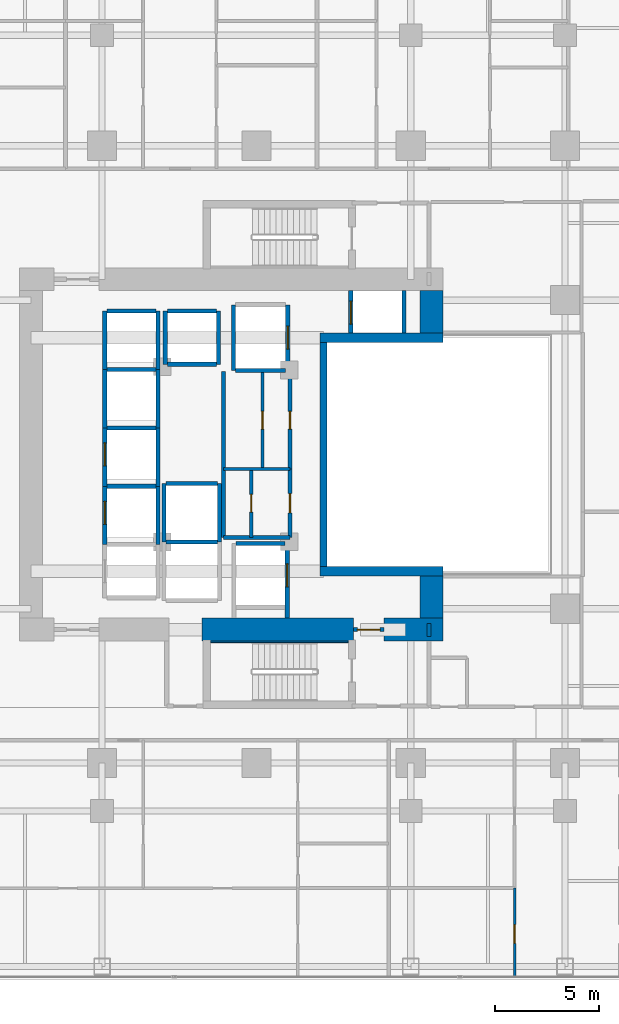
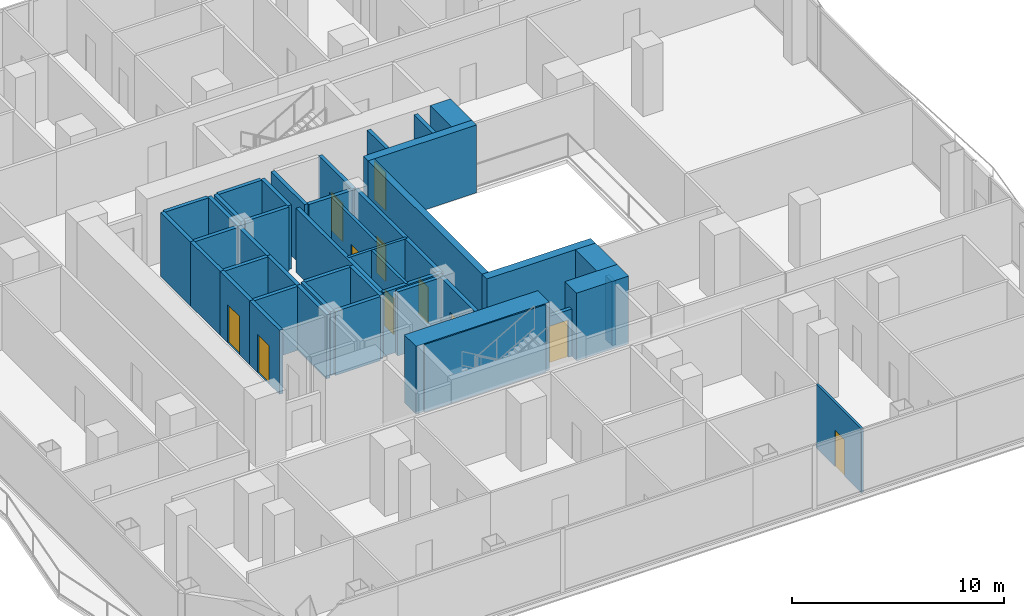
# One storey, part 21 of 27: 45 walls, 11 doors, 11 openings.
"""IFC4 building model written with IfcOpenShell, lengths in metres."""

from ifc_helpers import new_model, si_unit, direction, frame, frame_2d, origin, place, context, subcontext, project, spatial, rectangle, extrude, material, layer, layer_set, type_object, element, fill, save


model = new_model("IFC4")

# Units and contexts
model_context = context("Model", 3, precision=1e-05, world=origin(), true_north=direction((0.0, 1.0)))
body_context = subcontext(model_context, "Body", "Model", "MODEL_VIEW")
ifc_project = project(units=[si_unit("LENGTHUNIT", "METRE"), si_unit("AREAUNIT", "SQUARE_METRE"), si_unit("VOLUMEUNIT", "CUBIC_METRE"), si_unit("PLANEANGLEUNIT", "RADIAN"), si_unit("MASSUNIT", "GRAM", prefix="KILO")], contexts=[model_context])

# Site, building, storey
site_placement = place(None, origin())
site = spatial("IfcSite", under=ifc_project, at=site_placement, CompositionType="ELEMENT")
building_placement = place(site_placement, origin())
building = spatial("IfcBuilding", under=site, at=building_placement, Name="Khorvyn Point Tower", CompositionType="ELEMENT")
storey_placement = place(building_placement, frame((0.0, 0.0, 46.199951171875)))
storey = spatial("IfcBuildingStorey", under=building, at=storey_placement, Name="L12", CompositionType="ELEMENT", Elevation=46.199951171875)

# Walls
ifc_material_1 = material(Name="Concrete C40/50", Category="concrete")
ifc_layer_1 = layer(ifc_material_1, 0.449951171875)
ifc_layer_set_1 = layer_set([ifc_layer_1], Name="Concrete C40/50 Core Shear Wall 450")
wall_type_1 = type_object("IfcWallType", Name="Concrete C40/50 Core Shear Wall 450", PredefinedType="SHEAR", material=ifc_layer_set_1)
for number, where, z_axis, x_axis, name in (
    (1, (3.044921875, -5.60009765625, 0.0), (0.0, 0.0, 1.0), (1.0, 0.0, 0.0), "Wall"),
    (2, (3.044921875, 5.60009765625, 0.0), (0.0, 0.0, 1.0), (1.0, 0.0, 0.0), "Wall"),
):
    element("IfcWall", number, at=place(storey_placement, frame(where, z_axis=z_axis, x_axis=x_axis)), inside=storey, type_object=wall_type_1, Name=name, PredefinedType="SHEAR", context=body_context, shape_type="SweptSolid", body=[
        extrude(rectangle(XDim=5.905029296875, YDim=0.449951171875, at=frame_2d((2.95263671875, 0.0))), origin(), (0.0, 0.0, 1.0), 3.900146484375),
    ])

# Wall, opening, door
ifc_layer_2 = layer(ifc_material_1, 0.199951171875)
ifc_layer_set_2 = layer_set([ifc_layer_2], Name="Concrete C40/50 Fire-Lobby Compartment Wall 200")
wall_type_2 = type_object("IfcWallType", Name="Concrete C40/50 Fire-Lobby Compartment Wall 200", PredefinedType="SOLIDWALL", material=ifc_layer_set_2)
wall_1_placement = place(storey_placement, frame((4.64990234375, -8.39990234375, 0.0), z_axis=(0.0, 0.0, 1.0), x_axis=(1.0, 0.0, 0.0)))
wall_1 = element("IfcWall", 3, at=wall_1_placement, inside=storey, type_object=wall_type_2, Name="Wall", PredefinedType="SOLIDWALL", context=body_context, shape_type="SweptSolid", body=[
    extrude(rectangle(XDim=1.47021484375, YDim=0.199951171875, at=frame_2d((0.735107421875, 0.0))), origin(), (0.0, 0.0, 1.0), 2.719970703125),
])
opening_1_placement = place(wall_1_placement, frame((0.18505859375, 0.0, 0.0)))
opening_1 = element("IfcOpeningElement", 4, at=opening_1_placement, cuts=wall_1, Name="Opening ID-FL90", PredefinedType="OPENING", context=body_context, shape_type="SweptSolid", body=[
    extrude(rectangle(XDim=1.10009765625, YDim=2.14990234375, at=frame_2d((0.550048828125, 1.074951171875))), frame((0.0, 0.10986328125, 0.0), z_axis=(0.0, -1.0, 0.0), x_axis=(1.0, 0.0, 0.0)), (0.0, 0.0, 1.0), 0.219970703125),
])
ifc_material_2 = material(Name="Galvanised powder-coated steel", Category="steel")
door_type_1 = type_object("IfcDoorType", Name="Fire-Rated Steel Lobby and Stair Door 1100x2150", OperationType="NOTDEFINED", PredefinedType="DOOR", material=ifc_material_2)
door_1_placement = place(opening_1_placement, origin())
door_1 = element("IfcDoor", 5, at=door_1_placement, inside=storey, type_object=door_type_1, Name="Door", OperationType="SINGLE_SWING_LEFT", OverallHeight=2.14990234375, OverallWidth=1.10009765625, PredefinedType="DOOR", context=body_context, shape_type="SweptSolid", body=[
    extrude(rectangle(XDim=1.10009765625, YDim=2.14990234375, at=frame_2d((0.550048828125, 1.074951171875))), frame((0.0, 0.02490234375, 0.0), z_axis=(0.0, -1.0, 0.0), x_axis=(1.0, 0.0, 0.0)), (0.0, 0.0, 1.0), 0.050048828125),
])
fill(opening_1, door_1)

wall_2_placement = place(storey_placement, frame((1.610107421875, -3.97998046875, 0.0), z_axis=(0.0, 0.0, 1.0), x_axis=(0.0, 1.0, 0.0)))
wall_2 = element("IfcWall", 6, at=wall_2_placement, inside=storey, type_object=wall_type_2, Name="Wall", PredefinedType="SOLIDWALL", context=body_context, shape_type="SweptSolid", body=[
    extrude(rectangle(XDim=3.27392578125, YDim=0.199951171875, at=frame_2d((1.636962890625, 0.0))), origin(), (0.0, 0.0, 1.0), 3.679931640625),
])
opening_2_placement = place(wall_2_placement, frame((1.177001953125, 0.0, 0.0)))
opening_2 = element("IfcOpeningElement", 7, at=opening_2_placement, cuts=wall_2, Name="Opening ID-RS60", PredefinedType="OPENING", context=body_context, shape_type="SweptSolid", body=[
    extrude(rectangle(XDim=0.919921875, YDim=2.10009765625, at=frame_2d((0.4599609375, 1.050048828125))), frame((0.0, 0.10986328125, 0.0), z_axis=(0.0, -1.0, 0.0), x_axis=(1.0, 0.0, 0.0)), (0.0, 0.0, 1.0), 0.219970703125),
])
door_type_2 = type_object("IfcDoorType", Name="Fire-Rated Riser and Store Steel Door 920x2100", OperationType="NOTDEFINED", PredefinedType="DOOR", material=ifc_material_2)
door_2_placement = place(opening_2_placement, origin())
door_2 = element("IfcDoor", 8, at=door_2_placement, inside=storey, type_object=door_type_2, Name="Door", OperationType="SINGLE_SWING_RIGHT", OverallHeight=2.10009765625, OverallWidth=0.919921875, PredefinedType="DOOR", context=body_context, shape_type="SweptSolid", body=[
    extrude(rectangle(XDim=0.919921875, YDim=2.10009765625, at=frame_2d((0.4599609375, 1.050048828125))), frame((0.0, 0.02490234375, 0.0), z_axis=(0.0, -1.0, 0.0), x_axis=(1.0, 0.0, 0.0)), (0.0, 0.0, 1.0), 0.050048828125),
])
fill(opening_2, door_2)

wall_3_placement = place(storey_placement, frame((1.610107421875, -0.7060546875, 0.0), z_axis=(0.0, 0.0, 1.0), x_axis=(0.0, 1.0, 0.0)))
wall_3 = element("IfcWall", 9, at=wall_3_placement, inside=storey, type_object=wall_type_2, Name="Wall", PredefinedType="SOLIDWALL", context=body_context, shape_type="SweptSolid", body=[
    extrude(rectangle(XDim=4.68603515625, YDim=0.199951171875, at=frame_2d((2.343017578125, 0.0))), origin(), (0.0, 0.0, 1.0), 3.679931640625),
])
opening_3_placement = place(wall_3_placement, frame((1.91796875, 0.0, 0.0)))
opening_3 = element("IfcOpeningElement", 10, at=opening_3_placement, cuts=wall_3, Name="Opening ID-WC85", PredefinedType="OPENING", context=body_context, shape_type="SweptSolid", body=[
    extrude(rectangle(XDim=0.85009765625, YDim=2.10009765625, at=frame_2d((0.425048828125, 1.050048828125))), frame((0.0, 0.10986328125, 0.0), z_axis=(0.0, -1.0, 0.0), x_axis=(1.0, 0.0, 0.0)), (0.0, 0.0, 1.0), 0.219970703125),
])
ifc_material_3 = material(Name="High-pressure laminate on moisture-resistant core", Category="wood")
door_type_3 = type_object("IfcDoorType", Name="Moisture-Resistant Accessible Washroom Door 850x2100", OperationType="NOTDEFINED", PredefinedType="DOOR", material=ifc_material_3)
door_3_placement = place(opening_3_placement, origin())
door_3 = element("IfcDoor", 11, at=door_3_placement, inside=storey, type_object=door_type_3, Name="Door", OperationType="SINGLE_SWING_LEFT", OverallHeight=2.10009765625, OverallWidth=0.85009765625, PredefinedType="DOOR", context=body_context, shape_type="SweptSolid", body=[
    extrude(rectangle(XDim=0.85009765625, YDim=2.10009765625, at=frame_2d((0.425048828125, 1.050048828125))), frame((0.0, 0.02490234375, 0.0), z_axis=(0.0, -1.0, 0.0), x_axis=(1.0, 0.0, 0.0)), (0.0, 0.0, 1.0), 0.050048828125),
])
fill(opening_3, door_3)

# Walls
wall_4_placement = place(storey_placement, frame((-1.580078125, -3.97998046875, 0.0), z_axis=(0.0, 0.0, 1.0), x_axis=(0.0, 1.0, 0.0)))
element("IfcWall", 12, at=wall_4_placement, inside=storey, type_object=wall_type_2, Name="Wall", PredefinedType="SOLIDWALL", context=body_context, shape_type="SweptSolid", body=[
    extrude(rectangle(XDim=7.9599609375, YDim=0.199951171875, at=frame_2d((3.97998046875, 0.0))), origin(), (0.0, 0.0, 1.0), 3.679931640625),
])
wall_5_placement = place(storey_placement, frame((-1.580078125, -3.97998046875, 0.0), z_axis=(0.0, 0.0, 1.0), x_axis=(1.0, 0.0, 0.0)))
element("IfcWall", 13, at=wall_5_placement, inside=storey, type_object=wall_type_2, Name="Wall", PredefinedType="SOLIDWALL", context=body_context, shape_type="SweptSolid", body=[
    extrude(rectangle(XDim=3.190185546875, YDim=0.199951171875, at=frame_2d((1.59521484375, 0.0))), origin(), (0.0, 0.0, 1.0), 3.679931640625),
])
wall_6_placement = place(storey_placement, frame((8.280029296875, -8.72509765625, 0.0), z_axis=(0.0, 0.0, 1.0), x_axis=(0.0, 1.0, 0.0)))
element("IfcWall", 14, at=wall_6_placement, inside=storey, type_object=wall_type_2, Name="Wall", PredefinedType="SOLIDWALL", context=body_context, shape_type="SweptSolid", body=[
    extrude(rectangle(XDim=0.625, YDim=0.199951171875, at=frame_2d((0.3125, 0.0))), origin(), (0.0, 0.0, 1.0), 3.679931640625),
])
ifc_layer_3 = layer(ifc_material_1, 0.25)
ifc_layer_set_3 = layer_set([ifc_layer_3], Name="Concrete C40/50 Stair Inner Cheek Structural Wall 250")
wall_type_3 = type_object("IfcWallType", Name="Concrete C40/50 Stair Inner Cheek Structural Wall 250", PredefinedType="SHEAR", material=ifc_layer_set_3)
wall_7_placement = place(storey_placement, frame((-2.199951171875, -8.987548828125, 0.0), z_axis=(0.0, 0.0, 1.0), x_axis=(1.0, 0.0, 0.0)))
element("IfcWall", 15, at=wall_7_placement, inside=storey, type_object=wall_type_3, Name="Wall", PredefinedType="SHEAR", context=body_context, shape_type="SweptSolid", body=[
    extrude(rectangle(XDim=6.599853515625, YDim=0.074951171875, at=frame_2d((3.2998046875, 0.0))), origin(), (0.0, 0.0, 1.0), 3.900146484375),
])
ifc_layer_4 = layer(ifc_material_1, 0.35009765625)
ifc_layer_set_4 = layer_set([ifc_layer_4], Name="Concrete C40/50 Stair Shaft Structural Wall 350")
wall_type_4 = type_object("IfcWallType", Name="Concrete C40/50 Stair Shaft Structural Wall 350", PredefinedType="SHEAR", material=ifc_layer_set_4)
wall_8_placement = place(storey_placement, frame((3.219970703125, -5.375, 0.0), z_axis=(0.0, 0.0, 1.0), x_axis=(0.0, 1.0, 0.0)))
element("IfcWall", 16, at=wall_8_placement, inside=storey, type_object=wall_type_4, Name="Wall", PredefinedType="SHEAR", context=body_context, shape_type="SweptSolid", body=[
    extrude(rectangle(XDim=10.75, YDim=0.35009765625, at=frame_2d((5.375, 0.0))), origin(), (0.0, 0.0, 1.0), 3.900146484375),
])

# Wall, opening, door
ifc_layer_5 = layer(ifc_material_1, 0.199951171875)
ifc_layer_set_5 = layer_set([ifc_layer_5], Name="Concrete C40/50 Structural Hoistway and Stair Shaft Wall 200")
wall_type_5 = type_object("IfcWallType", Name="Concrete C40/50 Structural Hoistway and Stair Shaft Wall 200", PredefinedType="SHEAR", material=ifc_layer_set_5)
wall_9_placement = place(storey_placement, frame((-7.27490234375, -4.324951171875, 0.0), z_axis=(0.0, 0.0, 1.0), x_axis=(0.0, 1.0, 0.0)))
wall_9 = element("IfcWall", 17, at=wall_9_placement, inside=storey, type_object=wall_type_5, Name="Wall", PredefinedType="SHEAR", context=body_context, shape_type="SweptSolid", body=[
    extrude(rectangle(XDim=2.800048828125, YDim=0.199951171875, at=frame_2d((1.39990234375, 0.0))), origin(), (0.0, 0.0, 1.0), 3.679931640625),
])
opening_4_placement = place(wall_9_placement, frame((0.97509765625, 0.0, 0.0)))
opening_4 = element("IfcOpeningElement", 18, at=opening_4_placement, cuts=wall_9, Name="Opening LD-1122", PredefinedType="OPENING", context=body_context, shape_type="SweptSolid", body=[
    extrude(rectangle(XDim=1.10009765625, YDim=2.199951171875, at=frame_2d((0.550048828125, 1.10009765625))), frame((0.0, 0.10986328125, 0.0), z_axis=(0.0, -1.0, 0.0), x_axis=(1.0, 0.0, 0.0)), (0.0, 0.0, 1.0), 0.219970703125),
])
ifc_material_4 = material(Name="Stainless steel 1.4301", Category="steel")
door_type_4 = type_object("IfcDoorType", Name="Stainless Steel Automatic Sliding Lift Landing Door 1100x2200", OperationType="SLIDING_TO_LEFT", PredefinedType="DOOR", material=ifc_material_4)
door_4_placement = place(opening_4_placement, origin())
door_4 = element("IfcDoor", 19, at=door_4_placement, inside=storey, type_object=door_type_4, Name="L12 RL-02 Sliding Lift Landing Door", OperationType="SLIDING_TO_LEFT", OverallHeight=2.199951171875, OverallWidth=1.10009765625, PredefinedType="DOOR", context=body_context, shape_type="SweptSolid", body=[
    extrude(rectangle(XDim=1.10009765625, YDim=2.199951171875, at=frame_2d((0.550048828125, 1.10009765625))), frame((0.0, 0.02490234375, 0.0), z_axis=(0.0, -1.0, 0.0), x_axis=(1.0, 0.0, 0.0)), (0.0, 0.0, 1.0), 0.050048828125),
])
fill(opening_4, door_4)

# Walls
wall_10_placement = place(storey_placement, frame((-4.72509765625, -4.324951171875, 0.0), z_axis=(0.0, 0.0, 1.0), x_axis=(0.0, 1.0, 0.0)))
element("IfcWall", 20, at=wall_10_placement, inside=storey, type_object=wall_type_5, Name="Wall", PredefinedType="SHEAR", context=body_context, shape_type="SweptSolid", body=[
    extrude(rectangle(XDim=2.800048828125, YDim=0.199951171875, at=frame_2d((1.39990234375, 0.0))), origin(), (0.0, 0.0, 1.0), 3.679931640625),
])
wall_11_placement = place(storey_placement, frame((-7.175048828125, -1.52490234375, 0.0), z_axis=(0.0, 0.0, 1.0), x_axis=(1.0, 0.0, 0.0)))
element("IfcWall", 21, at=wall_11_placement, inside=storey, type_object=wall_type_5, Name="Wall", PredefinedType="SHEAR", context=body_context, shape_type="SweptSolid", body=[
    extrude(rectangle(XDim=2.35009765625, YDim=0.199951171875, at=frame_2d((1.175048828125, 0.0))), origin(), (0.0, 0.0, 1.0), 3.679931640625),
])

# Wall, opening, door
wall_12_placement = place(storey_placement, frame((-7.27490234375, -1.52490234375, 0.0), z_axis=(0.0, 0.0, 1.0), x_axis=(0.0, 1.0, 0.0)))
wall_12 = element("IfcWall", 22, at=wall_12_placement, inside=storey, type_object=wall_type_5, Name="Wall", PredefinedType="SHEAR", context=body_context, shape_type="SweptSolid", body=[
    extrude(rectangle(XDim=2.7998046875, YDim=0.199951171875, at=frame_2d((1.39990234375, 0.0))), origin(), (0.0, 0.0, 1.0), 3.679931640625),
])
opening_5_placement = place(wall_12_placement, frame((0.97509765625, 0.0, 0.0)))
opening_5 = element("IfcOpeningElement", 23, at=opening_5_placement, cuts=wall_12, Name="Opening LD-1122", PredefinedType="OPENING", context=body_context, shape_type="SweptSolid", body=[
    extrude(rectangle(XDim=1.10009765625, YDim=2.199951171875, at=frame_2d((0.550048828125, 1.10009765625))), frame((0.0, 0.10986328125, 0.0), z_axis=(0.0, -1.0, 0.0), x_axis=(1.0, 0.0, 0.0)), (0.0, 0.0, 1.0), 0.219970703125),
])
door_5_placement = place(opening_5_placement, origin())
door_5 = element("IfcDoor", 24, at=door_5_placement, inside=storey, type_object=door_type_4, Name="L12 RL-03 Sliding Lift Landing Door", OperationType="SLIDING_TO_LEFT", OverallHeight=2.199951171875, OverallWidth=1.10009765625, PredefinedType="DOOR", context=body_context, shape_type="SweptSolid", body=[
    extrude(rectangle(XDim=1.10009765625, YDim=2.199951171875, at=frame_2d((0.550048828125, 1.10009765625))), frame((0.0, 0.02490234375, 0.0), z_axis=(0.0, -1.0, 0.0), x_axis=(1.0, 0.0, 0.0)), (0.0, 0.0, 1.0), 0.050048828125),
])
fill(opening_5, door_5)

# Walls
wall_13_placement = place(storey_placement, frame((-4.72509765625, -1.52490234375, 0.0), z_axis=(0.0, 0.0, 1.0), x_axis=(0.0, 1.0, 0.0)))
element("IfcWall", 25, at=wall_13_placement, inside=storey, type_object=wall_type_5, Name="Wall", PredefinedType="SHEAR", context=body_context, shape_type="SweptSolid", body=[
    extrude(rectangle(XDim=2.7998046875, YDim=0.199951171875, at=frame_2d((1.39990234375, 0.0))), origin(), (0.0, 0.0, 1.0), 3.679931640625),
])
wall_14_placement = place(storey_placement, frame((-7.175048828125, 1.27490234375, 0.0), z_axis=(0.0, 0.0, 1.0), x_axis=(1.0, 0.0, 0.0)))
element("IfcWall", 26, at=wall_14_placement, inside=storey, type_object=wall_type_5, Name="Wall", PredefinedType="SHEAR", context=body_context, shape_type="SweptSolid", body=[
    extrude(rectangle(XDim=2.35009765625, YDim=0.199951171875, at=frame_2d((1.175048828125, 0.0))), origin(), (0.0, 0.0, 1.0), 3.679931640625),
])
for number, where, z_axis, x_axis, name in (
    (27, (-7.27490234375, 1.27490234375, 0.0), (0.0, 0.0, 1.0), (0.0, 1.0, 0.0), "Wall"),
    (28, (-4.72509765625, 1.27490234375, 0.0), (0.0, 0.0, 1.0), (0.0, 1.0, 0.0), "Wall"),
):
    element("IfcWall", number, at=place(storey_placement, frame(where, z_axis=z_axis, x_axis=x_axis)), inside=storey, type_object=wall_type_5, Name=name, PredefinedType="SHEAR", context=body_context, shape_type="SweptSolid", body=[
        extrude(rectangle(XDim=2.800048828125, YDim=0.199951171875, at=frame_2d((1.39990234375, 0.0))), origin(), (0.0, 0.0, 1.0), 3.679931640625),
    ])
wall_15_placement = place(storey_placement, frame((-7.175048828125, 4.074951171875, 0.0), z_axis=(0.0, 0.0, 1.0), x_axis=(1.0, 0.0, 0.0)))
element("IfcWall", 29, at=wall_15_placement, inside=storey, type_object=wall_type_5, Name="Wall", PredefinedType="SHEAR", context=body_context, shape_type="SweptSolid", body=[
    extrude(rectangle(XDim=2.35009765625, YDim=0.199951171875, at=frame_2d((1.175048828125, 0.0))), origin(), (0.0, 0.0, 1.0), 3.679931640625),
])
for number, where, z_axis, x_axis, name in (
    (30, (-7.27490234375, 4.074951171875, 0.0), (0.0, 0.0, 1.0), (0.0, 1.0, 0.0), "Wall"),
    (31, (-4.72509765625, 4.074951171875, 0.0), (0.0, 0.0, 1.0), (0.0, 1.0, 0.0), "Wall"),
):
    element("IfcWall", number, at=place(storey_placement, frame(where, z_axis=z_axis, x_axis=x_axis)), inside=storey, type_object=wall_type_5, Name=name, PredefinedType="SHEAR", context=body_context, shape_type="SweptSolid", body=[
        extrude(rectangle(XDim=2.800048828125, YDim=0.199951171875, at=frame_2d((1.39990234375, 0.0))), origin(), (0.0, 0.0, 1.0), 3.679931640625),
    ])
wall_16_placement = place(storey_placement, frame((-7.175048828125, 6.875, 0.0), z_axis=(0.0, 0.0, 1.0), x_axis=(1.0, 0.0, 0.0)))
element("IfcWall", 32, at=wall_16_placement, inside=storey, type_object=wall_type_5, Name="Wall", PredefinedType="SHEAR", context=body_context, shape_type="SweptSolid", body=[
    extrude(rectangle(XDim=2.35009765625, YDim=0.199951171875, at=frame_2d((1.175048828125, 0.0))), origin(), (0.0, 0.0, 1.0), 3.679931640625),
])
for number, where, z_axis, x_axis, name in (
    (33, (-4.375, 4.324951171875, 0.0), (0.0, 0.0, 1.0), (0.0, 1.0, 0.0), "Wall"),
    (34, (-1.824951171875, 4.324951171875, 0.0), (0.0, 0.0, 1.0), (0.0, 1.0, 0.0), "Wall"),
):
    element("IfcWall", number, at=place(storey_placement, frame(where, z_axis=z_axis, x_axis=x_axis)), inside=storey, type_object=wall_type_5, Name=name, PredefinedType="SHEAR", context=body_context, shape_type="SweptSolid", body=[
        extrude(rectangle(XDim=2.550048828125, YDim=0.199951171875, at=frame_2d((1.27490234375, 0.0))), origin(), (0.0, 0.0, 1.0), 3.679931640625),
    ])
for number, where, z_axis, x_axis, name in (
    (35, (-4.27490234375, 4.324951171875, 0.0), (0.0, 0.0, 1.0), (1.0, 0.0, 0.0), "Wall"),
    (36, (-4.27490234375, 6.875, 0.0), (0.0, 0.0, 1.0), (1.0, 0.0, 0.0), "Wall"),
):
    element("IfcWall", number, at=place(storey_placement, frame(where, z_axis=z_axis, x_axis=x_axis)), inside=storey, type_object=wall_type_5, Name=name, PredefinedType="SHEAR", context=body_context, shape_type="SweptSolid", body=[
        extrude(rectangle(XDim=2.349853515625, YDim=0.199951171875, at=frame_2d((1.1748046875, 0.0))), origin(), (0.0, 0.0, 1.0), 3.679931640625),
    ])
wall_17_placement = place(storey_placement, frame((-4.324951171875, -4.199951171875, 0.0), z_axis=(0.0, 0.0, 1.0), x_axis=(1.0, 0.0, 0.0)))
element("IfcWall", 37, at=wall_17_placement, inside=storey, type_object=wall_type_5, Name="Wall", PredefinedType="SHEAR", context=body_context, shape_type="SweptSolid", body=[
    extrude(rectangle(XDim=2.449951171875, YDim=0.199951171875, at=frame_2d((1.22509765625, 0.0))), origin(), (0.0, 0.0, 1.0), 3.679931640625),
])
for number, where, z_axis, x_axis, name in (
    (38, (-4.425048828125, -4.199951171875, 0.0), (0.0, 0.0, 1.0), (0.0, 1.0, 0.0), "Wall"),
    (39, (-1.77490234375, -4.199951171875, 0.0), (0.0, 0.0, 1.0), (0.0, 1.0, 0.0), "Wall"),
):
    element("IfcWall", number, at=place(storey_placement, frame(where, z_axis=z_axis, x_axis=x_axis)), inside=storey, type_object=wall_type_5, Name=name, PredefinedType="SHEAR", context=body_context, shape_type="SweptSolid", body=[
        extrude(rectangle(XDim=2.800048828125, YDim=0.199951171875, at=frame_2d((1.39990234375, 0.0))), origin(), (0.0, 0.0, 1.0), 3.679931640625),
    ])
wall_18_placement = place(storey_placement, frame((-4.324951171875, -1.39990234375, 0.0), z_axis=(0.0, 0.0, 1.0), x_axis=(1.0, 0.0, 0.0)))
element("IfcWall", 40, at=wall_18_placement, inside=storey, type_object=wall_type_5, Name="Wall", PredefinedType="SHEAR", context=body_context, shape_type="SweptSolid", body=[
    extrude(rectangle(XDim=2.449951171875, YDim=0.199951171875, at=frame_2d((1.22509765625, 0.0))), origin(), (0.0, 0.0, 1.0), 3.679931640625),
])
wall_19_placement = place(storey_placement, frame((-1.10009765625, 4.02490234375, 0.0), z_axis=(0.0, 0.0, 1.0), x_axis=(0.0, 1.0, 0.0)))
element("IfcWall", 41, at=wall_19_placement, inside=storey, type_object=wall_type_5, Name="Wall", PredefinedType="SHEAR", context=body_context, shape_type="SweptSolid", body=[
    extrude(rectangle(XDim=3.150146484375, YDim=0.199951171875, at=frame_2d((1.5751953125, 0.0))), origin(), (0.0, 0.0, 1.0), 3.679931640625),
])

# Wall, opening, door
wall_20_placement = place(storey_placement, frame((1.5, 4.02490234375, 0.0), z_axis=(0.0, 0.0, 1.0), x_axis=(0.0, 1.0, 0.0)))
wall_20 = element("IfcWall", 42, at=wall_20_placement, inside=storey, type_object=wall_type_5, Name="Wall", PredefinedType="SHEAR", context=body_context, shape_type="SweptSolid", body=[
    extrude(rectangle(XDim=3.150146484375, YDim=0.199951171875, at=frame_2d((1.5751953125, 0.0))), origin(), (0.0, 0.0, 1.0), 3.679931640625),
])
opening_6_placement = place(wall_20_placement, frame((1.02490234375, 0.0, 0.0)))
opening_6 = element("IfcOpeningElement", 43, at=opening_6_placement, cuts=wall_20, Name="Opening LD-1122", PredefinedType="OPENING", context=body_context, shape_type="SweptSolid", body=[
    extrude(rectangle(XDim=1.10009765625, YDim=2.199951171875, at=frame_2d((0.550048828125, 1.10009765625))), frame((0.0, 0.10986328125, 0.0), z_axis=(0.0, -1.0, 0.0), x_axis=(1.0, 0.0, 0.0)), (0.0, 0.0, 1.0), 0.219970703125),
])
door_6_placement = place(opening_6_placement, origin())
door_6 = element("IfcDoor", 44, at=door_6_placement, inside=storey, type_object=door_type_4, Name="L12 SV-01 Sliding Lift Landing Door", OperationType="SLIDING_TO_LEFT", OverallHeight=2.199951171875, OverallWidth=1.10009765625, PredefinedType="DOOR", context=body_context, shape_type="SweptSolid", body=[
    extrude(rectangle(XDim=1.10009765625, YDim=2.199951171875, at=frame_2d((0.550048828125, 1.10009765625))), frame((0.0, 0.02490234375, 0.0), z_axis=(0.0, -1.0, 0.0), x_axis=(1.0, 0.0, 0.0)), (0.0, 0.0, 1.0), 0.050048828125),
])
fill(opening_6, door_6)

# Wall
wall_21_placement = place(storey_placement, frame((-1.0, 4.02490234375, 0.0), z_axis=(0.0, 0.0, 1.0), x_axis=(1.0, 0.0, 0.0)))
element("IfcWall", 45, at=wall_21_placement, inside=storey, type_object=wall_type_5, Name="Wall", PredefinedType="SHEAR", context=body_context, shape_type="SweptSolid", body=[
    extrude(rectangle(XDim=2.39990234375, YDim=0.199951171875, at=frame_2d((1.199951171875, 0.0))), origin(), (0.0, 0.0, 1.0), 3.679931640625),
])

# Wall, opening, door
wall_22_placement = place(storey_placement, frame((1.47509765625, -7.85009765625, 0.0), z_axis=(0.0, 0.0, 1.0), x_axis=(0.0, 1.0, 0.0)))
wall_22 = element("IfcWall", 46, at=wall_22_placement, inside=storey, type_object=wall_type_5, Name="Wall", PredefinedType="SHEAR", context=body_context, shape_type="SweptSolid", body=[
    extrude(rectangle(XDim=3.5751953125, YDim=0.199951171875, at=frame_2d((1.78759765625, 0.0))), origin(), (0.0, 0.0, 1.0), 3.679931640625),
])
opening_7_placement = place(wall_22_placement, frame((1.5, 0.0, 0.0)))
opening_7 = element("IfcOpeningElement", 47, at=opening_7_placement, cuts=wall_22, Name="Opening LD-1122", PredefinedType="OPENING", context=body_context, shape_type="SweptSolid", body=[
    extrude(rectangle(XDim=1.10009765625, YDim=2.199951171875, at=frame_2d((0.550048828125, 1.10009765625))), frame((0.0, 0.10986328125, 0.0), z_axis=(0.0, -1.0, 0.0), x_axis=(1.0, 0.0, 0.0)), (0.0, 0.0, 1.0), 0.219970703125),
])
door_7_placement = place(opening_7_placement, origin())
door_7 = element("IfcDoor", 48, at=door_7_placement, inside=storey, type_object=door_type_4, Name="L12 FF-01 Sliding Lift Landing Door", OperationType="SLIDING_TO_LEFT", OverallHeight=2.199951171875, OverallWidth=1.10009765625, PredefinedType="DOOR", context=body_context, shape_type="SweptSolid", body=[
    extrude(rectangle(XDim=1.10009765625, YDim=2.199951171875, at=frame_2d((0.550048828125, 1.10009765625))), frame((0.0, 0.02490234375, 0.0), z_axis=(0.0, -1.0, 0.0), x_axis=(1.0, 0.0, 0.0)), (0.0, 0.0, 1.0), 0.050048828125),
])
fill(opening_7, door_7)

# Wall
wall_23_placement = place(storey_placement, frame((-0.97509765625, -4.27490234375, 0.0), z_axis=(0.0, 0.0, 1.0), x_axis=(1.0, 0.0, 0.0)))
element("IfcWall", 49, at=wall_23_placement, inside=storey, type_object=wall_type_5, Name="Wall", PredefinedType="SHEAR", context=body_context, shape_type="SweptSolid", body=[
    extrude(rectangle(XDim=2.35009765625, YDim=0.199951171875, at=frame_2d((1.175048828125, 0.0))), origin(), (0.0, 0.0, 1.0), 3.679931640625),
])

# Wall, opening, door
wall_24_placement = place(storey_placement, frame((4.52490234375, 5.824951171875, 0.0), z_axis=(0.0, 0.0, 1.0), x_axis=(0.0, 1.0, 0.0)))
wall_24 = element("IfcWall", 50, at=wall_24_placement, inside=storey, type_object=wall_type_5, Name="Wall", PredefinedType="SHEAR", context=body_context, shape_type="SweptSolid", body=[
    extrude(rectangle(XDim=2.025146484375, YDim=0.199951171875, at=frame_2d((1.0126953125, 0.0))), origin(), (0.0, 0.0, 1.0), 3.679931640625),
])
opening_8_placement = place(wall_24_placement, frame((0.425048828125, 0.0, 0.0)))
opening_8 = element("IfcOpeningElement", 51, at=opening_8_placement, cuts=wall_24, Name="Opening LD-1122", PredefinedType="OPENING", context=body_context, shape_type="SweptSolid", body=[
    extrude(rectangle(XDim=1.10009765625, YDim=2.199951171875, at=frame_2d((0.550048828125, 1.10009765625))), frame((0.0, 0.10986328125, 0.0), z_axis=(0.0, -1.0, 0.0), x_axis=(1.0, 0.0, 0.0)), (0.0, 0.0, 1.0), 0.219970703125),
])
door_8_placement = place(opening_8_placement, origin())
door_8 = element("IfcDoor", 52, at=door_8_placement, inside=storey, type_object=door_type_4, Name="L12 FF-02 Sliding Lift Landing Door", OperationType="SLIDING_TO_LEFT", OverallHeight=2.199951171875, OverallWidth=1.10009765625, PredefinedType="DOOR", context=body_context, shape_type="SweptSolid", body=[
    extrude(rectangle(XDim=1.10009765625, YDim=2.199951171875, at=frame_2d((0.550048828125, 1.10009765625))), frame((0.0, 0.02490234375, 0.0), z_axis=(0.0, -1.0, 0.0), x_axis=(1.0, 0.0, 0.0)), (0.0, 0.0, 1.0), 0.050048828125),
])
fill(opening_8, door_8)

# Walls
wall_25_placement = place(storey_placement, frame((7.074951171875, 5.824951171875, 0.0), z_axis=(0.0, 0.0, 1.0), x_axis=(0.0, 1.0, 0.0)))
element("IfcWall", 53, at=wall_25_placement, inside=storey, type_object=wall_type_5, Name="Wall", PredefinedType="SHEAR", context=body_context, shape_type="SweptSolid", body=[
    extrude(rectangle(XDim=2.025146484375, YDim=0.199951171875, at=frame_2d((1.0126953125, 0.0))), origin(), (0.0, 0.0, 1.0), 3.679931640625),
])
ifc_material_5 = material(Name="Concrete C50/60", Category="concrete")
ifc_layer_6 = layer(ifc_material_5, 1.10009765625)
ifc_layer_set_6 = layer_set([ifc_layer_6], Name="Concrete C50/60 Core Shear Wall 1100")
wall_type_6 = type_object("IfcWallType", Name="Concrete C50/60 Core Shear Wall 1100", PredefinedType="SHEAR", material=ifc_layer_set_6)
wall_26_placement = place(storey_placement, frame((-2.6201171875, -8.39990234375, 0.0), z_axis=(0.0, 0.0, 1.0), x_axis=(1.0, 0.0, 0.0)))
element("IfcWall", 54, at=wall_26_placement, inside=storey, type_object=wall_type_6, Name="Wall", PredefinedType="SHEAR", context=body_context, shape_type="SweptSolid", body=[
    extrude(rectangle(XDim=7.27001953125, YDim=1.10009765625, at=frame_2d((3.635009765625, 0.0))), origin(), (0.0, 0.0, 1.0), 3.900146484375),
])
wall_27_placement = place(storey_placement, frame((6.1201171875, -8.39990234375, 0.0), z_axis=(0.0, 0.0, 1.0), x_axis=(1.0, 0.0, 0.0)))
element("IfcWall", 55, at=wall_27_placement, inside=storey, type_object=wall_type_6, Name="Wall", PredefinedType="SHEAR", context=body_context, shape_type="SweptSolid", body=[
    extrude(rectangle(XDim=2.829833984375, YDim=1.10009765625, at=frame_2d((1.4150390625, 0.0))), origin(), (0.0, 0.0, 1.0), 3.900146484375),
])
for number, where, z_axis, x_axis, name in (
    (56, (8.39990234375, -7.85009765625, 0.0), (0.0, 0.0, 1.0), (0.0, 1.0, 0.0), "Wall"),
    (57, (8.39990234375, 5.824951171875, 0.0), (0.0, 0.0, 1.0), (0.0, 1.0, 0.0), "Wall"),
):
    element("IfcWall", number, at=place(storey_placement, frame(where, z_axis=z_axis, x_axis=x_axis)), inside=storey, type_object=wall_type_6, Name=name, PredefinedType="SHEAR", context=body_context, shape_type="SweptSolid", body=[
        extrude(rectangle(XDim=2.025146484375, YDim=1.10009765625, at=frame_2d((1.0126953125, 0.0))), origin(), (0.0, 0.0, 1.0), 3.900146484375),
    ])

# Wall, opening, door
ifc_material_6 = material(Name="Gypsum plasterboard on steel stud", Category="steel")
ifc_layer_7 = layer(ifc_material_6, 0.1201171875)
ifc_layer_set_7 = layer_set([ifc_layer_7], Name="Gypsum Acoustic Stud Room Partition Wall 120")
wall_type_7 = type_object("IfcWallType", Name="Gypsum Acoustic Stud Room Partition Wall 120", PredefinedType="PARTITIONING", material=ifc_layer_set_7)
wall_28_placement = place(storey_placement, frame((12.375, -25.030029296875, 0.0), z_axis=(0.0, 0.0, 1.0), x_axis=(0.0, 1.0, 0.0)))
wall_28 = element("IfcWall", 58, at=wall_28_placement, inside=storey, type_object=wall_type_7, Name="Wall", PredefinedType="PARTITIONING", context=body_context, shape_type="SweptSolid", body=[
    extrude(rectangle(XDim=4.239990234375, YDim=0.1201171875, at=frame_2d((2.1201171875, 0.0))), origin(), (0.0, 0.0, 1.0), 3.679931640625),
])
opening_9_placement = place(wall_28_placement, frame((1.581298828125, 0.0, 0.0)))
opening_9 = element("IfcOpeningElement", 59, at=opening_9_placement, cuts=wall_28, Name="Opening ID-RM90", PredefinedType="OPENING", context=body_context, shape_type="SweptSolid", body=[
    extrude(rectangle(XDim=0.89990234375, YDim=2.10009765625, at=frame_2d((0.449951171875, 1.050048828125))), frame((0.0, 0.070068359375, 0.0), z_axis=(0.0, -1.0, 0.0), x_axis=(1.0, 0.0, 0.0)), (0.0, 0.0, 1.0), 0.14013671875),
])
ifc_material_7 = material(Name="Engineered oak veneer timber", Category="wood")
door_type_5 = type_object("IfcDoorType", Name="Flush Engineered Timber Room Door 900x2100", OperationType="NOTDEFINED", PredefinedType="DOOR", material=ifc_material_7)
door_9_placement = place(opening_9_placement, origin())
door_9 = element("IfcDoor", 60, at=door_9_placement, inside=storey, type_object=door_type_5, Name="Door", OperationType="SINGLE_SWING_RIGHT", OverallHeight=2.10009765625, OverallWidth=0.89990234375, PredefinedType="DOOR", context=body_context, shape_type="SweptSolid", body=[
    extrude(rectangle(XDim=0.89990234375, YDim=2.10009765625, at=frame_2d((0.449951171875, 1.050048828125))), frame((0.0, 0.02490234375, 0.0), z_axis=(0.0, -1.0, 0.0), x_axis=(1.0, 0.0, 0.0)), (0.0, 0.0, 1.0), 0.050048828125),
])
fill(opening_9, door_9)

ifc_material_8 = material(Name="Moisture-resistant gypsum and cement board", Category="gypsum")
ifc_layer_8 = layer(ifc_material_8, 0.14990234375)
ifc_layer_set_8 = layer_set([ifc_layer_8], Name="Moisture-Resistant Wet-Room Partition Wall 150")
wall_type_8 = type_object("IfcWallType", Name="Moisture-Resistant Wet-Room Partition Wall 150", PredefinedType="PARTITIONING", material=ifc_layer_set_8)
wall_29_placement = place(storey_placement, frame((-0.25, -3.97998046875, 0.0), z_axis=(0.0, 0.0, 1.0), x_axis=(0.0, 1.0, 0.0)))
wall_29 = element("IfcWall", 61, at=wall_29_placement, inside=storey, type_object=wall_type_8, Name="Wall", PredefinedType="PARTITIONING", context=body_context, shape_type="SweptSolid", body=[
    extrude(rectangle(XDim=3.27392578125, YDim=0.14990234375, at=frame_2d((1.636962890625, 0.0))), origin(), (0.0, 0.0, 1.0), 3.679931640625),
])
opening_10_placement = place(wall_29_placement, frame((1.2119140625, 0.0, 0.0)))
opening_10 = element("IfcOpeningElement", 62, at=opening_10_placement, cuts=wall_29, Name="Opening ID-WC85", PredefinedType="OPENING", context=body_context, shape_type="SweptSolid", body=[
    extrude(rectangle(XDim=0.85009765625, YDim=2.10009765625, at=frame_2d((0.425048828125, 1.050048828125))), frame((0.0, 0.0849609375, 0.0), z_axis=(0.0, -1.0, 0.0), x_axis=(1.0, 0.0, 0.0)), (0.0, 0.0, 1.0), 0.169921875),
])
door_10_placement = place(opening_10_placement, origin())
door_10 = element("IfcDoor", 63, at=door_10_placement, inside=storey, type_object=door_type_3, Name="Door", OperationType="SINGLE_SWING_RIGHT", OverallHeight=2.10009765625, OverallWidth=0.85009765625, PredefinedType="DOOR", context=body_context, shape_type="SweptSolid", body=[
    extrude(rectangle(XDim=0.85009765625, YDim=2.10009765625, at=frame_2d((0.425048828125, 1.050048828125))), frame((0.0, 0.02490234375, 0.0), z_axis=(0.0, -1.0, 0.0), x_axis=(1.0, 0.0, 0.0)), (0.0, 0.0, 1.0), 0.050048828125),
])
fill(opening_10, door_10)

wall_30_placement = place(storey_placement, frame((0.2900390625, -0.7060546875, 0.0), z_axis=(0.0, 0.0, 1.0), x_axis=(0.0, 1.0, 0.0)))
wall_30 = element("IfcWall", 64, at=wall_30_placement, inside=storey, type_object=wall_type_8, Name="Wall", PredefinedType="PARTITIONING", context=body_context, shape_type="SweptSolid", body=[
    extrude(rectangle(XDim=4.68603515625, YDim=0.14990234375, at=frame_2d((2.343017578125, 0.0))), origin(), (0.0, 0.0, 1.0), 3.679931640625),
])
opening_11_placement = place(wall_30_placement, frame((1.91796875, 0.0, 0.0)))
opening_11 = element("IfcOpeningElement", 65, at=opening_11_placement, cuts=wall_30, Name="Opening ID-WC85", PredefinedType="OPENING", context=body_context, shape_type="SweptSolid", body=[
    extrude(rectangle(XDim=0.85009765625, YDim=2.10009765625, at=frame_2d((0.425048828125, 1.050048828125))), frame((0.0, 0.0849609375, 0.0), z_axis=(0.0, -1.0, 0.0), x_axis=(1.0, 0.0, 0.0)), (0.0, 0.0, 1.0), 0.169921875),
])
door_11_placement = place(opening_11_placement, origin())
door_11 = element("IfcDoor", 66, at=door_11_placement, inside=storey, type_object=door_type_3, Name="Door", OperationType="SINGLE_SWING_LEFT", OverallHeight=2.10009765625, OverallWidth=0.85009765625, PredefinedType="DOOR", context=body_context, shape_type="SweptSolid", body=[
    extrude(rectangle(XDim=0.85009765625, YDim=2.10009765625, at=frame_2d((0.425048828125, 1.050048828125))), frame((0.0, 0.02490234375, 0.0), z_axis=(0.0, -1.0, 0.0), x_axis=(1.0, 0.0, 0.0)), (0.0, 0.0, 1.0), 0.050048828125),
])
fill(opening_11, door_11)

# Wall
wall_31_placement = place(storey_placement, frame((-1.580078125, -0.7060546875, 0.0), z_axis=(0.0, 0.0, 1.0), x_axis=(1.0, 0.0, 0.0)))
element("IfcWall", 67, at=wall_31_placement, inside=storey, type_object=wall_type_8, Name="Wall", PredefinedType="PARTITIONING", context=body_context, shape_type="SweptSolid", body=[
    extrude(rectangle(XDim=3.190185546875, YDim=0.14990234375, at=frame_2d((1.59521484375, 0.0))), origin(), (0.0, 0.0, 1.0), 3.679931640625),
])

save(model, "model.ifc")
